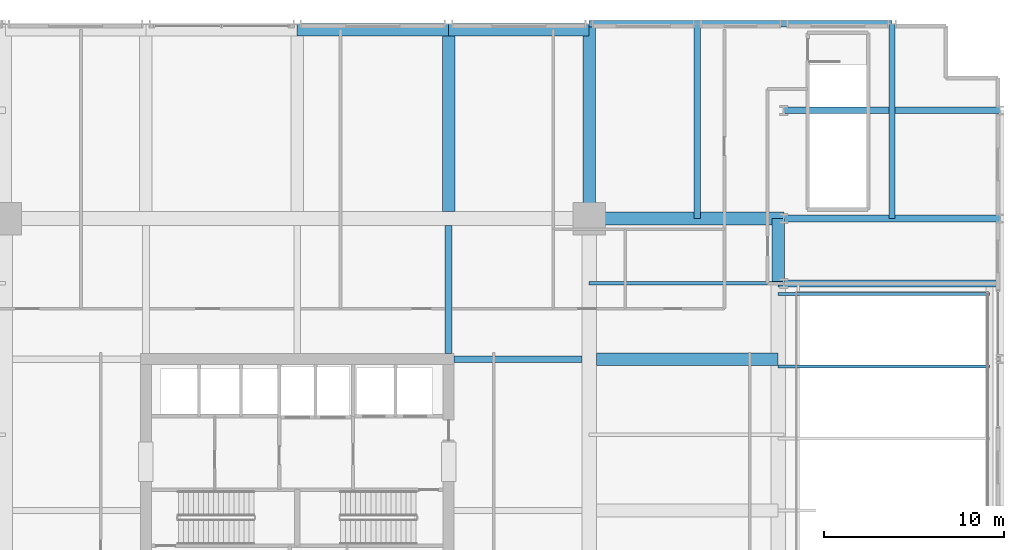
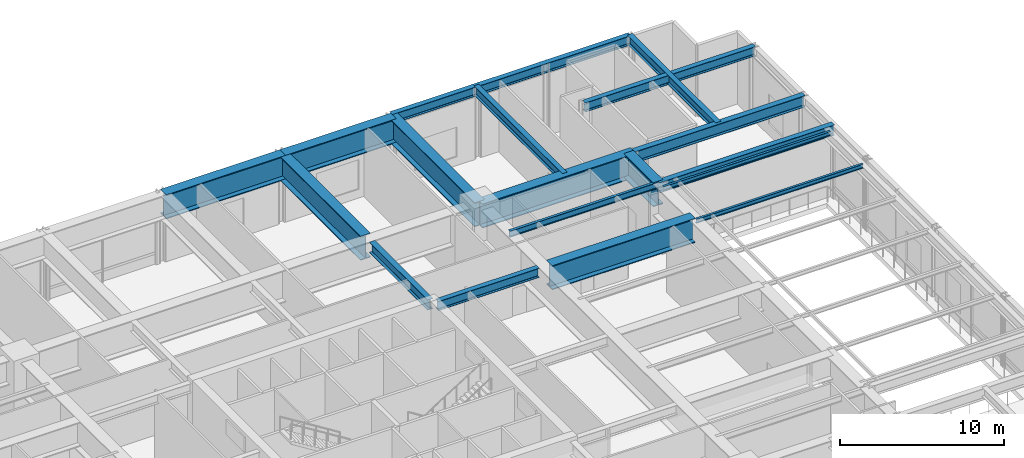
# One storey, part 6 of 19: 16 beams, 2 members.
"""IFC4 building model written with IfcOpenShell, lengths in metres."""

import ifcopenshell
import ifcopenshell.guid

model = None  # the IFC model being written
_history = None  # IfcOwnerHistory: only IFC2X3 demands one
_inside = {}  # id of a spatial element -> (the spatial element, [elements in it])
_under = {}  # id of a project, library or spatial element -> (it, [spatial elements below it])
_declared = {}  # id of a project -> (the project, [libraries it declares])
_typed = {}  # id of a type object -> (the type object, [elements of that type])
_made_of = {}  # id of a material, layer set ... -> (it, [elements and type objects made of it])


def new_model(schema):
    """Start an empty IFC model of exactly this schema.

    Asked for "IFC4X3", IfcOpenShell would pick the latest addendum, in which some entities
    have other attributes; the version numbers below select the first issue.
    IFC2X3 requires an IfcOwnerHistory on every rooted entity: one is made here for all.
    """
    global model, _history
    if schema == "IFC4X3":
        model = ifcopenshell.file(schema_version=(4, 3, 0, 0))
    else:
        model = ifcopenshell.file(schema=schema)
    _inside.clear()
    _under.clear()
    _declared.clear()
    _typed.clear()
    _made_of.clear()
    _history = None
    if model.schema == "IFC2X3":
        org = make("IfcOrganization", Name="unknown")
        user = make(
            "IfcPersonAndOrganization",
            ThePerson=make("IfcPerson", FamilyName="unknown"),
            TheOrganization=org,
        )
        app = make(
            "IfcApplication",
            ApplicationDeveloper=org,
            Version="unknown",
            ApplicationFullName="unknown",
            ApplicationIdentifier="unknown",
        )
        _history = make(
            "IfcOwnerHistory",
            OwningUser=user,
            OwningApplication=app,
            ChangeAction="ADDED",
            CreationDate=0,
        )
    return model


def make(cls, **values):
    """One entity of the class cls with the attributes given. An attribute that is None is left unset."""
    return model.create_entity(
        cls, **{name: value for name, value in values.items() if value is not None}
    )


def rooted(cls, **values):
    """An entity with a GlobalId (a new one), such as an element, a storey or a relation."""
    return make(cls, GlobalId=ifcopenshell.guid.new(), OwnerHistory=_history, **values)


def si_unit(unit_type, name, prefix=None):
    """IfcSIUnit, for example si_unit("LENGTHUNIT", "METRE", prefix="MILLI")."""
    return make("IfcSIUnit", UnitType=unit_type, Prefix=prefix, Name=name)


def assignment(units):
    """IfcUnitAssignment: the units of a project."""
    return None if units is None else make("IfcUnitAssignment", Units=units)


def point(xyz):
    """IfcCartesianPoint."""
    return None if xyz is None else make("IfcCartesianPoint", Coordinates=xyz)


def direction(xyz):
    """IfcDirection."""
    return None if xyz is None else make("IfcDirection", DirectionRatios=xyz)


def frame(location, z_axis=None, x_axis=None):
    """IfcAxis2Placement3D, a coordinate frame: its origin and axes. An axis left out is left unset."""
    return make(
        "IfcAxis2Placement3D",
        Location=point(location),
        Axis=direction(z_axis),
        RefDirection=direction(x_axis),
    )


def frame_2d(location, x_axis=None):
    """IfcAxis2Placement2D, a coordinate frame in the plane: its origin and x axis."""
    return make(
        "IfcAxis2Placement2D", Location=point(location), RefDirection=direction(x_axis)
    )


def origin():
    """The frame at (0, 0, 0) with its axes left unset."""
    return frame((0.0, 0.0, 0.0))


def origin_2d():
    """The frame at (0, 0) in the plane with its x axis left unset."""
    return frame_2d((0.0, 0.0))


def place(relative_to, where):
    """IfcLocalPlacement: puts the frame where relative to a parent placement (None: the world)."""
    return make(
        "IfcLocalPlacement", PlacementRelTo=relative_to, RelativePlacement=where
    )


def context(
    kind, dimensions, precision=None, world=None, true_north=None, identifier=None
):
    """IfcGeometricRepresentationContext, for example the 3D "Model" context."""
    return make(
        "IfcGeometricRepresentationContext",
        ContextIdentifier=identifier,
        ContextType=kind,
        CoordinateSpaceDimension=dimensions,
        Precision=precision,
        WorldCoordinateSystem=world,
        TrueNorth=true_north,
    )


def subcontext(parent, identifier, kind, view, scale=None):
    """IfcGeometricRepresentationSubContext, for example "Body" below "Model"."""
    return make(
        "IfcGeometricRepresentationSubContext",
        ContextIdentifier=identifier,
        ContextType=kind,
        ParentContext=parent,
        TargetScale=scale,
        TargetView=view,
    )


def project(units=None, contexts=None):
    """IfcProject with its units and contexts."""
    return rooted(
        "IfcProject",
        Name="project",
        RepresentationContexts=contexts,
        UnitsInContext=assignment(units),
    )


def spatial(cls, under=None, at=None, **own):
    """A site, building, storey or space (cls), placed at a placement, below another one or the project."""
    s = rooted(cls, ObjectPlacement=at, **own)
    if under is not None:
        _under.setdefault(under.id(), (under, []))[1].append(s)
    return s


def profile(cls, at=None, kind="AREA", **sizes):
    """A parametric profile (cls). Its sizes go by their IFC names, for example OverallWidth=200.0."""
    return make(cls, ProfileType=kind, Position=at, **sizes)


def i_section(**sizes):
    """IfcIShapeProfileDef."""
    return profile("IfcIShapeProfileDef", **sizes)


def extrude(swept, where, along, depth):
    """IfcExtrudedAreaSolid: the profile swept, set in the frame where, extruded along a direction by depth."""
    return make(
        "IfcExtrudedAreaSolid",
        SweptArea=swept,
        Position=where,
        ExtrudedDirection=direction(along),
        Depth=depth,
    )


def shape(context_of_items, identifier, shape_type, items):
    """IfcShapeRepresentation: the items that make up one representation, for example the "Body"."""
    return make(
        "IfcShapeRepresentation",
        ContextOfItems=context_of_items,
        RepresentationIdentifier=identifier,
        RepresentationType=shape_type,
        Items=items,
    )


def material(Name=None, Category=None):
    """IfcMaterial."""
    return make("IfcMaterial", Name=Name, Category=Category)


def material_profile(
    of_material, cross_section, Name=None, Category=None, Priority=None
):
    """IfcMaterialProfile: a cross section and its material."""
    return make(
        "IfcMaterialProfile",
        Name=Name,
        Material=of_material,
        Profile=cross_section,
        Priority=Priority,
        Category=Category,
    )


def profile_set(profiles, Name=None, composite=None):
    """IfcMaterialProfileSet."""
    return make(
        "IfcMaterialProfileSet",
        Name=Name,
        MaterialProfiles=profiles,
        CompositeProfile=composite,
    )


def made_of(thing, what):
    """Note that an element or type object is made of a material, layer set ...; save() writes the relation."""
    if what is not None:
        _made_of.setdefault(what.id(), (what, []))[1].append(thing)
    return thing


def type_object(cls, material=None, **own):
    """A type object (cls), such as IfcWallType, which elements share."""
    return made_of(rooted(cls, **own), material)


def element(
    cls,
    number,
    at=None,
    inside=None,
    cuts=None,
    type_object=None,
    material=None,
    context=None,
    identifier="Body",
    shape_type=None,
    held_by="IfcProductDefinitionShape",
    body=None,
    shapes=None,
    **own,
):
    """One element of the class cls, such as IfcWall. Its Tag is "e" and its number.

    at: its placement. inside: the storey or other place that contains it. cuts: it is an
    opening in that element (IfcRelVoidsElement). A single representation is given by context,
    identifier, shape_type and body (its items); several are given by shapes. held_by: the class
    of the entity that holds the representations. save() writes the other relations.
    """
    e = rooted(cls, Tag="e%d" % number, ObjectPlacement=at, **own)
    if body is not None:
        shapes = [shape(context, identifier, shape_type, body)]
    if shapes is not None:
        e.Representation = make(held_by, Representations=shapes)
    if inside is not None:
        _inside.setdefault(inside.id(), (inside, []))[1].append(e)
    if cuts is not None:
        rooted(
            "IfcRelVoidsElement", RelatingBuildingElement=cuts, RelatedOpeningElement=e
        )
    if type_object is not None:
        _typed.setdefault(type_object.id(), (type_object, []))[1].append(e)
    return made_of(e, material)


def aggregate(whole, parts):
    """IfcRelAggregates: a whole, such as a stair, and the parts it consists of."""
    return rooted("IfcRelAggregates", RelatingObject=whole, RelatedObjects=parts)


def save(model, path):
    """Write the relations noted so far, then the file.

    IfcRelAggregates (storeys below a building ...), IfcRelContainedInSpatialStructure (elements
    in a storey), IfcRelDefinesByType, IfcRelAssociatesMaterial and IfcRelDeclares: one each for
    every whole, place, type object, material and project.
    """
    for whole, parts in _under.values():
        aggregate(whole, parts)
    for where, things in _inside.values():
        rooted(
            "IfcRelContainedInSpatialStructure",
            RelatedElements=things,
            RelatingStructure=where,
        )
    for kind, things in _typed.values():
        rooted("IfcRelDefinesByType", RelatedObjects=things, RelatingType=kind)
    for what, things in _made_of.values():
        rooted("IfcRelAssociatesMaterial", RelatedObjects=things, RelatingMaterial=what)
    for by, libraries in _declared.values():
        rooted("IfcRelDeclares", RelatingContext=by, RelatedDefinitions=libraries)
    model.write(path)


model = new_model("IFC4")

# Units and contexts
model_context = context("Model", 3, precision=1e-05, world=origin(), true_north=direction((0.0, 1.0)))
body_context = subcontext(model_context, "Body", "Model", "MODEL_VIEW")
ifc_project = project(units=[si_unit("LENGTHUNIT", "METRE"), si_unit("AREAUNIT", "SQUARE_METRE"), si_unit("VOLUMEUNIT", "CUBIC_METRE"), si_unit("PLANEANGLEUNIT", "RADIAN"), si_unit("MASSUNIT", "GRAM", prefix="KILO")], contexts=[model_context])

# Site, building, storey
site_placement = place(None, origin())
site = spatial("IfcSite", under=ifc_project, at=site_placement, CompositionType="ELEMENT")
building_placement = place(site_placement, origin())
building = spatial("IfcBuilding", under=site, at=building_placement, Name="Drelvath Grand Hotel", CompositionType="ELEMENT")
storey_placement = place(building_placement, frame((0.0, 0.0, 27.60009765625)))
storey = spatial("IfcBuildingStorey", under=building, at=storey_placement, Name="L05", CompositionType="ELEMENT", Elevation=27.60009765625)

# Beams
ifc_material_1 = material(Name="Steel ASTM A572 Gr 50", Category="steel")
ifc_material_profile_1 = material_profile(ifc_material_1, i_section(OverallWidth=0.699951171875, OverallDepth=1.800048828125, WebThickness=0.035888671875, FlangeThickness=0.06494140625, at=origin_2d()), Name="PG1800X700")
ifc_profile_set_1 = profile_set([ifc_material_profile_1], Name="Steel ASTM A572 Gr 50")
beam_type_1 = type_object("IfcBeamType", Name="Built-Up Transfer Girder PG1800X700", PredefinedType="BEAM", material=ifc_profile_set_1)
beam_1_placement = place(storey_placement, frame((26.679931640625, 39.60009765625, 4.419921875), z_axis=(0.0, 1.0, 0.0), x_axis=(-1.0, 0.0, 0.0)))
element("IfcBeam", 1, at=beam_1_placement, inside=storey, type_object=beam_type_1, Name="L05 Transfer Girder TG-01N", PredefinedType="BEAM", context=body_context, shape_type="SweptSolid", body=[
    extrude(i_section(OverallWidth=0.699951171875, OverallDepth=1.800048828125, WebThickness=0.035888671875, FlangeThickness=0.06494140625, at=origin_2d()), origin(), (0.0, 0.0, 1.0), 3.599853515625),
])
beam_2_placement = place(storey_placement, frame((0.0, 53.679931640625, 4.419921875), z_axis=(1.0, 0.0, 0.0), x_axis=(0.0, 1.0, 0.0)))
element("IfcBeam", 2, at=beam_2_placement, inside=storey, type_object=beam_type_1, Name="L05 Transfer Girder North 3", PredefinedType="BEAM", context=body_context, shape_type="SweptSolid", body=[
    extrude(i_section(OverallWidth=0.699951171875, OverallDepth=1.800048828125, WebThickness=0.035888671875, FlangeThickness=0.06494140625, at=origin_2d()), origin(), (0.0, 0.0, 1.0), 8.39990234375),
])
beam_3_placement = place(storey_placement, frame((8.39990234375, 53.679931640625, 4.419921875), z_axis=(1.0, 0.0, 0.0), x_axis=(0.0, 1.0, 0.0)))
element("IfcBeam", 3, at=beam_3_placement, inside=storey, type_object=beam_type_1, Name="L05 Transfer Girder North 4", PredefinedType="BEAM", context=body_context, shape_type="SweptSolid", body=[
    extrude(i_section(OverallWidth=0.699951171875, OverallDepth=1.800048828125, WebThickness=0.035888671875, FlangeThickness=0.06494140625, at=origin_2d()), origin(), (0.0, 0.0, 1.0), 7.800048828125),
])
beam_4_placement = place(storey_placement, frame((16.60009765625, 35.39990234375, 4.419921875), z_axis=(1.0, 0.0, 0.0), x_axis=(0.0, 1.0, 0.0)))
element("IfcBeam", 4, at=beam_4_placement, inside=storey, type_object=beam_type_1, Name="L05 Transfer Tie Girder EF", PredefinedType="BEAM", context=body_context, shape_type="SweptSolid", body=[
    extrude(i_section(OverallWidth=0.699951171875, OverallDepth=1.800048828125, WebThickness=0.035888671875, FlangeThickness=0.06494140625, at=origin_2d()), origin(), (0.0, 0.0, 1.0), 10.079833984375),
])
beam_5_placement = place(storey_placement, frame((16.199951171875, 43.199951171875, 4.419921875), z_axis=(1.0, 0.0, 0.0), x_axis=(0.0, 1.0, 0.0)))
element("IfcBeam", 5, at=beam_5_placement, inside=storey, type_object=beam_type_1, Name="L05 Transfer Tie Girder EG", PredefinedType="BEAM", context=body_context, shape_type="SweptSolid", body=[
    extrude(i_section(OverallWidth=0.699951171875, OverallDepth=1.800048828125, WebThickness=0.035888671875, FlangeThickness=0.06494140625, at=origin_2d()), origin(), (0.0, 0.0, 1.0), 10.800048828125),
])
beam_6_placement = place(storey_placement, frame((8.39990234375, 43.60009765625, 4.419921875), z_axis=(0.0, 1.0, 0.0), x_axis=(-1.0, 0.0, 0.0)))
element("IfcBeam", 6, at=beam_6_placement, inside=storey, type_object=beam_type_1, Name="L05 Transfer Tie Girder N6", PredefinedType="BEAM", context=body_context, shape_type="SweptSolid", body=[
    extrude(i_section(OverallWidth=0.699951171875, OverallDepth=1.800048828125, WebThickness=0.035888671875, FlangeThickness=0.06494140625, at=origin_2d()), origin(), (0.0, 0.0, 1.0), 10.39990234375),
])
beam_7_placement = place(storey_placement, frame((16.199951171875, 43.199951171875, 4.419921875), z_axis=(0.0, 1.0, 0.0), x_axis=(-1.0, 0.0, 0.0)))
element("IfcBeam", 7, at=beam_7_placement, inside=storey, type_object=beam_type_1, Name="L05 Transfer Tie Girder N7", PredefinedType="BEAM", context=body_context, shape_type="SweptSolid", body=[
    extrude(i_section(OverallWidth=0.699951171875, OverallDepth=1.800048828125, WebThickness=0.035888671875, FlangeThickness=0.06494140625, at=origin_2d()), origin(), (0.0, 0.0, 1.0), 10.800048828125),
])
ifc_material_2 = material(Name="Steel ASTM A992 Gr 50", Category="steel")
ifc_material_profile_2 = material_profile(ifc_material_2, i_section(OverallWidth=0.19140625, OverallDepth=0.4599609375, WebThickness=0.010009765625, FlangeThickness=0.01611328125, FilletRadius=0.01611328125, at=origin_2d()), Name="W18X55")
ifc_profile_set_2 = profile_set([ifc_material_profile_2], Name="Steel ASTM A992 Gr 50")
beam_type_2 = type_object("IfcBeamType", Name="Composite Floor Joist W18X55", PredefinedType="JOIST", material=ifc_profile_set_2)
beam_8_placement = place(storey_placement, frame((16.199951171875, 39.60009765625, 5.08984375), z_axis=(1.0, 0.0, 0.0), x_axis=(0.0, 1.0, 0.0)))
element("IfcBeam", 8, at=beam_8_placement, inside=storey, type_object=beam_type_2, Name="L05 East Composite Joist J4", PredefinedType="JOIST", context=body_context, shape_type="SweptSolid", body=[
    extrude(i_section(OverallWidth=0.19140625, OverallDepth=0.4599609375, WebThickness=0.010009765625, FlangeThickness=0.01611328125, FilletRadius=0.01611328125, at=origin_2d()), origin(), (0.0, 0.0, 1.0), 10.800048828125),
])
ifc_material_profile_3 = material_profile(ifc_material_2, i_section(OverallWidth=0.354736328125, OverallDepth=0.695556640625, WebThickness=0.015380859375, FlangeThickness=0.025146484375, FilletRadius=0.02392578125, at=origin_2d()), Name="W27X146")
ifc_profile_set_3 = profile_set([ifc_material_profile_3], Name="Steel ASTM A992 Gr 50")
beam_type_3 = type_object("IfcBeamType", Name="Perimeter Spandrel Beam W27X146", PredefinedType="SPANDREL", material=ifc_profile_set_3)
beam_9_placement = place(storey_placement, frame((16.199951171875, 54.0, 4.97216796875), z_axis=(1.0, 0.0, 0.0), x_axis=(0.0, 1.0, 0.0)))
element("IfcBeam", 9, at=beam_9_placement, inside=storey, type_object=beam_type_3, Name="L05 Podium Perimeter Spandrel SPN1B", PredefinedType="SPANDREL", context=body_context, shape_type="SweptSolid", body=[
    extrude(i_section(OverallWidth=0.354736328125, OverallDepth=0.695556640625, WebThickness=0.015380859375, FlangeThickness=0.025146484375, FilletRadius=0.02392578125, at=origin_2d()), origin(), (0.0, 0.0, 1.0), 16.800048828125),
])
ifc_material_profile_4 = material_profile(ifc_material_2, i_section(OverallWidth=0.354736328125, OverallDepth=0.695556640625, WebThickness=0.015380859375, FlangeThickness=0.025146484375, FilletRadius=0.02392578125, at=origin_2d()), Name="W27X146")
ifc_profile_set_4 = profile_set([ifc_material_profile_4], Name="Steel ASTM A992 Gr 50")
beam_type_4 = type_object("IfcBeamType", Name="Primary Floor Girder W27X146", PredefinedType="BEAM", material=ifc_profile_set_4)
beam_10_placement = place(storey_placement, frame((8.699951171875, 35.39990234375, 4.97216796875), z_axis=(1.0, 0.0, 0.0), x_axis=(0.0, 1.0, 0.0)))
element("IfcBeam", 10, at=beam_10_placement, inside=storey, type_object=beam_type_4, Name="L05 East Core Girder F", PredefinedType="BEAM", context=body_context, shape_type="SweptSolid", body=[
    extrude(i_section(OverallWidth=0.354736328125, OverallDepth=0.695556640625, WebThickness=0.015380859375, FlangeThickness=0.025146484375, FilletRadius=0.02392578125, at=origin_2d()), origin(), (0.0, 0.0, 1.0), 7.10009765625),
])
beam_11_placement = place(storey_placement, frame((27.0, 49.199951171875, 4.97216796875), z_axis=(1.0, 0.0, 0.0), x_axis=(0.0, 1.0, 0.0)))
element("IfcBeam", 11, at=beam_11_placement, inside=storey, type_object=beam_type_4, Name="L05 East Corner Tie H", PredefinedType="BEAM", context=body_context, shape_type="SweptSolid", body=[
    extrude(i_section(OverallWidth=0.354736328125, OverallDepth=0.695556640625, WebThickness=0.015380859375, FlangeThickness=0.025146484375, FilletRadius=0.02392578125, at=origin_2d()), origin(), (0.0, 0.0, 1.0), 12.0),
])
for number, where, z_axis, x_axis, name in (
    (12, (22.199951171875, 43.199951171875, 4.97216796875), (0.0, 1.0, 0.0), (-1.0, 0.0, 0.0), "L05 North Corner Tie 8"),
    (13, (33.0, 43.199951171875, 4.97216796875), (0.0, 1.0, 0.0), (-1.0, 0.0, 0.0), "L05 North Corner Tie 10"),
):
    element("IfcBeam", number, at=place(storey_placement, frame(where, z_axis=z_axis, x_axis=x_axis)), inside=storey, type_object=beam_type_4, Name=name, PredefinedType="BEAM", context=body_context, shape_type="SweptSolid", body=[
        extrude(i_section(OverallWidth=0.354736328125, OverallDepth=0.695556640625, WebThickness=0.015380859375, FlangeThickness=0.025146484375, FilletRadius=0.02392578125, at=origin_2d()), origin(), (0.0, 0.0, 1.0), 10.800048828125),
    ])
ifc_material_profile_5 = material_profile(ifc_material_2, i_section(OverallWidth=0.380615234375, OverallDepth=0.773193359375, WebThickness=0.0166015625, FlangeThickness=0.027099609375, FilletRadius=0.02490234375, at=origin_2d()), Name="W30X173")
ifc_profile_set_5 = profile_set([ifc_material_profile_5], Name="Steel ASTM A992 Gr 50")
beam_type_5 = type_object("IfcBeamType", Name="Primary Floor Girder W30X173", PredefinedType="BEAM", material=ifc_profile_set_5)
beam_12_placement = place(storey_placement, frame((8.39990234375, 35.699951171875, 4.933349609375), z_axis=(0.0, 1.0, 0.0), x_axis=(-1.0, 0.0, 0.0)))
element("IfcBeam", 14, at=beam_12_placement, inside=storey, type_object=beam_type_5, Name="L05 North Core Span Girder 6", PredefinedType="BEAM", context=body_context, shape_type="SweptSolid", body=[
    extrude(i_section(OverallWidth=0.380615234375, OverallDepth=0.773193359375, WebThickness=0.0166015625, FlangeThickness=0.027099609375, FilletRadius=0.02490234375, at=origin_2d()), origin(), (0.0, 0.0, 1.0), 7.10009765625),
])
beam_13_placement = place(storey_placement, frame((26.679931640625, 39.60009765625, 4.933349609375), z_axis=(1.0, 0.0, 0.0), x_axis=(0.0, 1.0, 0.0)))
element("IfcBeam", 15, at=beam_13_placement, inside=storey, type_object=beam_type_5, Name="L05 Atrium Skylight North Support Girder", PredefinedType="BEAM", context=body_context, shape_type="SweptSolid", body=[
    extrude(i_section(OverallWidth=0.380615234375, OverallDepth=0.773193359375, WebThickness=0.0166015625, FlangeThickness=0.027099609375, FilletRadius=0.02490234375, at=origin_2d()), origin(), (0.0, 0.0, 1.0), 12.320068359375),
])
ifc_material_profile_6 = material_profile(ifc_material_2, i_section(OverallWidth=0.39990234375, OverallDepth=0.85546875, WebThickness=0.018310546875, FlangeThickness=0.029296875, FilletRadius=0.02490234375, at=origin_2d()), Name="W33X201")
ifc_profile_set_6 = profile_set([ifc_material_profile_6], Name="Steel ASTM A992 Gr 50")
beam_type_6 = type_object("IfcBeamType", Name="Primary Floor Girder W33X201", PredefinedType="BEAM", material=ifc_profile_set_6)
beam_14_placement = place(storey_placement, frame((27.0, 43.199951171875, 4.89208984375), z_axis=(1.0, 0.0, 0.0), x_axis=(0.0, 1.0, 0.0)))
element("IfcBeam", 16, at=beam_14_placement, inside=storey, type_object=beam_type_6, Name="L05 East Podium Girder 2 G", PredefinedType="BEAM", context=body_context, shape_type="SweptSolid", body=[
    extrude(i_section(OverallWidth=0.39990234375, OverallDepth=0.85546875, WebThickness=0.018310546875, FlangeThickness=0.029296875, FilletRadius=0.02490234375, at=origin_2d()), origin(), (0.0, 0.0, 1.0), 12.0),
])

# Members
ifc_material_profile_7 = material_profile(ifc_material_2, i_section(OverallWidth=0.164794921875, OverallDepth=0.310302734375, WebThickness=0.005859375, FlangeThickness=0.009765625, FilletRadius=0.012939453125, at=origin_2d()), Name="W12X26")
ifc_profile_set_7 = profile_set([ifc_material_profile_7], Name="Steel ASTM A992 Gr 50")
member_type = type_object("IfcMemberType", Name="Skylight Roof Purlin W12X26", PredefinedType="PURLIN", material=ifc_profile_set_7)
for number, where, z_axis, x_axis, name in (
    (17, (26.679931640625, 35.0, 5.164794921875), (1.0, 0.0, 0.0), (0.0, 1.0, 0.0), "L05 Atrium Skylight Purlin 6"),
    (18, (26.679931640625, 39.0, 5.164794921875), (1.0, 0.0, 0.0), (0.0, 1.0, 0.0), "L05 Atrium Skylight Purlin 7"),
):
    element("IfcMember", number, at=place(storey_placement, frame(where, z_axis=z_axis, x_axis=x_axis)), inside=storey, type_object=member_type, Name=name, PredefinedType="PURLIN", context=body_context, shape_type="SweptSolid", body=[
        extrude(i_section(OverallWidth=0.164794921875, OverallDepth=0.310302734375, WebThickness=0.005859375, FlangeThickness=0.009765625, FilletRadius=0.012939453125, at=origin_2d()), origin(), (0.0, 0.0, 1.0), 11.739990234375),
    ])

save(model, "model.ifc")
